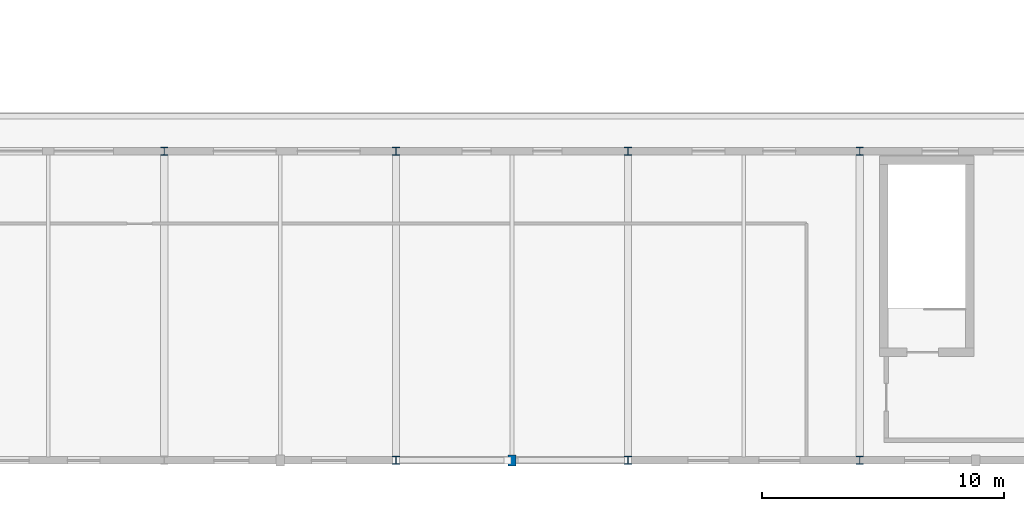
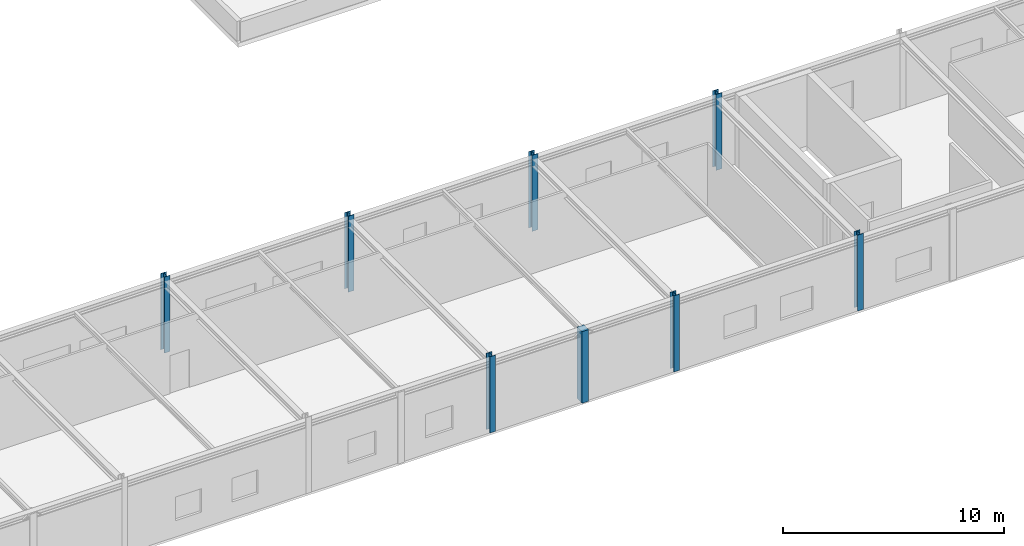
# One storey, part 2 of 99: 8 columns.
"""IFC4 building model written with IfcOpenShell, lengths in metres."""

from ifc_helpers import new_model, si_unit, direction, frame, origin, origin_2d, place, context, subcontext, project, spatial, rectangle, i_section, extrude, material, material_profile, profile_set, type_object, element, save


model = new_model("IFC4")

# Units and contexts
model_context = context("Model", 3, precision=1e-05, world=origin(), true_north=direction((0.0, 1.0)))
body_context = subcontext(model_context, "Body", "Model", "MODEL_VIEW")
ifc_project = project(units=[si_unit("LENGTHUNIT", "METRE"), si_unit("AREAUNIT", "SQUARE_METRE"), si_unit("VOLUMEUNIT", "CUBIC_METRE"), si_unit("PLANEANGLEUNIT", "RADIAN"), si_unit("MASSUNIT", "GRAM", prefix="KILO")], contexts=[model_context])

# Site, building, storey
site_placement = place(None, origin())
site = spatial("IfcSite", under=ifc_project, at=site_placement, CompositionType="ELEMENT")
building_placement = place(site_placement, origin())
building = spatial("IfcBuilding", under=site, at=building_placement, Name="Nordkorset Police Headquarters", CompositionType="ELEMENT")
storey_placement = place(building_placement, frame((0.0, 0.0, 5.25)))
storey = spatial("IfcBuildingStorey", under=building, at=storey_placement, Name="L01", CompositionType="ELEMENT", Elevation=5.25)

# Columns
ifc_material_1 = material(Name="Steel S355J2", Category="steel")
ifc_material_profile_1 = material_profile(ifc_material_1, i_section(OverallWidth=0.300048828125, OverallDepth=0.340087890625, WebThickness=0.011962890625, FlangeThickness=0.021484375, FilletRadius=0.027099609375, at=origin_2d()), Name="HEB 340")
ifc_profile_set_1 = profile_set([ifc_material_profile_1], Name="Steel S355J2")
column_type_1 = type_object("IfcColumnType", Name="Col_HEB_340", PredefinedType="COLUMN", material=ifc_profile_set_1)
for number, where, z_axis, x_axis, name in (
    (1, (28.800048828125, 12.800048828125, 0.0), (0.0, 0.0, 1.0), (1.0, 0.0, 0.0), "Structural Column V7_S1_3 L01"),
    (2, (38.39990234375, 0.0, 0.0), (0.0, 0.0, 1.0), (1.0, 0.0, 0.0), "Structural Column V7_S0_4 L01"),
    (3, (38.39990234375, 12.800048828125, 0.0), (0.0, 0.0, 1.0), (1.0, 0.0, 0.0), "Structural Column V7_S1_4 L01"),
    (4, (48.0, 0.0, 0.0), (0.0, 0.0, 1.0), (1.0, 0.0, 0.0), "Structural Column V7_S0_5 L01"),
    (5, (48.0, 12.800048828125, 0.0), (0.0, 0.0, 1.0), (1.0, 0.0, 0.0), "Structural Column V7_S1_5 L01"),
    (6, (57.60009765625, 0.0, 0.0), (0.0, 0.0, 1.0), (1.0, 0.0, 0.0), "Structural Column V7_S0_6 L01"),
    (7, (57.60009765625, 12.800048828125, 0.0), (0.0, 0.0, 1.0), (1.0, 0.0, 0.0), "Structural Column V7_S1_6 L01"),
):
    element("IfcColumn", number, at=place(storey_placement, frame(where, z_axis=z_axis, x_axis=x_axis)), inside=storey, type_object=column_type_1, Name=name, PredefinedType="COLUMN", context=body_context, shape_type="SweptSolid", body=[
        extrude(i_section(OverallWidth=0.300048828125, OverallDepth=0.340087890625, WebThickness=0.011962890625, FlangeThickness=0.021484375, FilletRadius=0.027099609375, at=origin_2d()), origin(), (0.0, 0.0, 1.0), 4.199951171875),
    ])
ifc_material_2 = material(Name="Concrete C45/55", Category="concrete")
ifc_material_profile_2 = material_profile(ifc_material_2, rectangle(XDim=0.35009765625, YDim=0.449951171875, at=origin_2d()), Name="RC 450x350")
ifc_profile_set_2 = profile_set([ifc_material_profile_2], Name="Concrete C45/55")
column_type_2 = type_object("IfcColumnType", Name="Pilaster_RC_450x350", PredefinedType="PILASTER", material=ifc_profile_set_2)
column_placement = place(storey_placement, frame((43.199951171875, 0.0, 0.0), z_axis=(0.0, 0.0, 1.0), x_axis=(1.0, 0.0, 0.0)))
element("IfcColumn", 8, at=column_placement, inside=storey, type_object=column_type_2, Name="Perimeter Pilaster 04 L01", PredefinedType="PILASTER", context=body_context, shape_type="SweptSolid", body=[
    extrude(rectangle(XDim=0.35009765625, YDim=0.449951171875, at=origin_2d()), origin(), (0.0, 0.0, 1.0), 3.949951171875),
])

save(model, "model.ifc")
